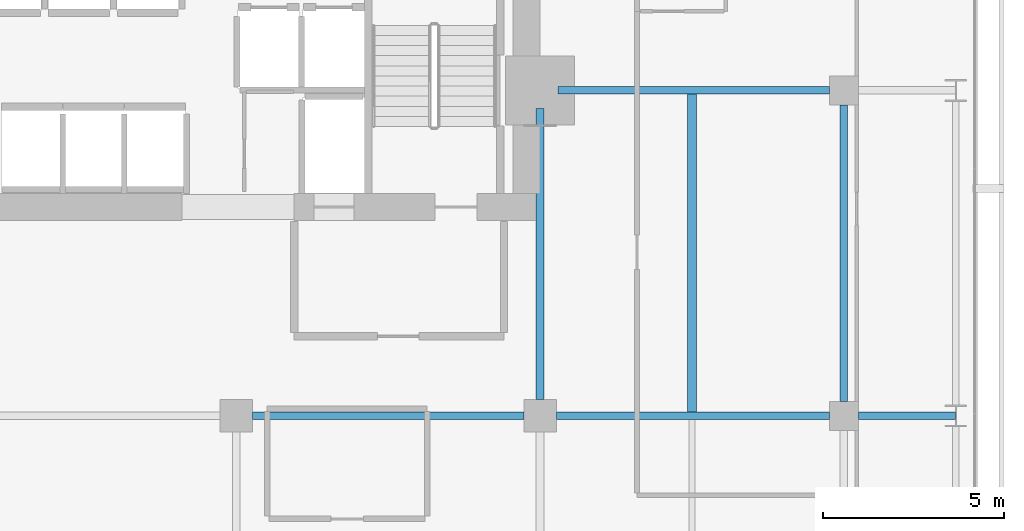
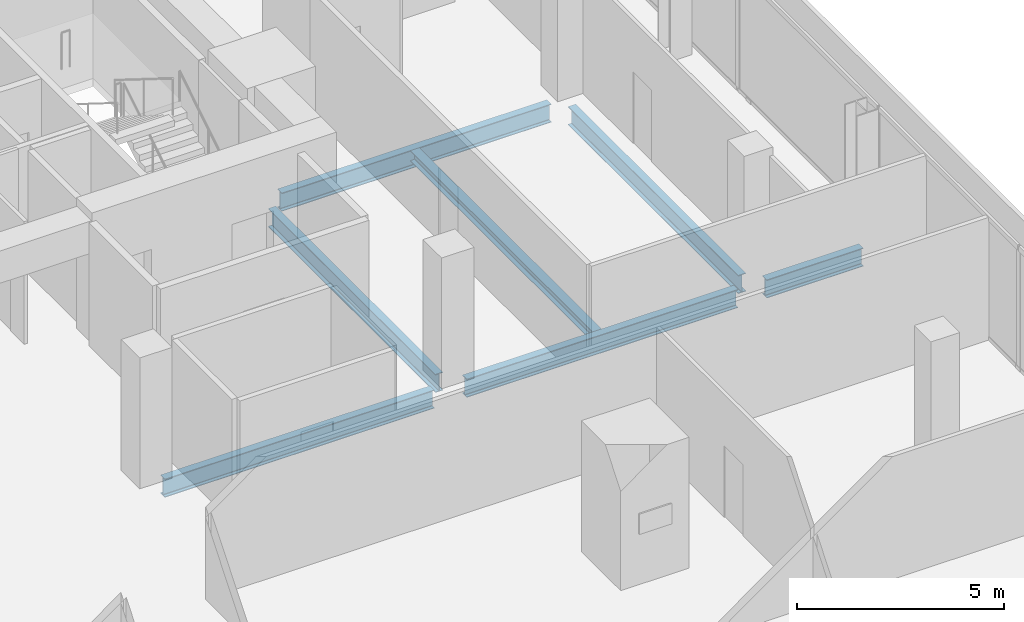
# One storey, part 23 of 33: 7 beams.
"""IFC4 building model written with IfcOpenShell, lengths in metres."""

from ifc_helpers import new_model, si_unit, direction, frame, origin, origin_2d, place, context, subcontext, project, spatial, i_section, extrude, material, material_profile, profile_set, type_object, element, save


model = new_model("IFC4")

# Units and contexts
model_context = context("Model", 3, precision=1e-05, world=origin(), true_north=direction((0.0, 1.0)))
body_context = subcontext(model_context, "Body", "Model", "MODEL_VIEW")
ifc_project = project(units=[si_unit("LENGTHUNIT", "METRE"), si_unit("AREAUNIT", "SQUARE_METRE"), si_unit("VOLUMEUNIT", "CUBIC_METRE"), si_unit("PLANEANGLEUNIT", "RADIAN"), si_unit("MASSUNIT", "GRAM", prefix="KILO")], contexts=[model_context])

# Site, building, storey
site_placement = place(None, origin())
site = spatial("IfcSite", under=ifc_project, at=site_placement, CompositionType="ELEMENT")
building_placement = place(site_placement, origin())
building = spatial("IfcBuilding", under=site, at=building_placement, Name="Maruvema Waterfront Hotel and Observation Tower", CompositionType="ELEMENT")
storey_placement = place(building_placement, frame((0.0, 0.0, 200.550048828125)))
storey = spatial("IfcBuildingStorey", under=building, at=storey_placement, Name="L49", CompositionType="ELEMENT", Elevation=200.550048828125)

# Beams
ifc_material_1 = material(Name="Steel ASTM A572 Grade 50", Category="steel")
ifc_material_profile_1 = material_profile(ifc_material_1, i_section(OverallWidth=0.2109375, OverallDepth=0.5390625, WebThickness=0.01171875, FlangeThickness=0.018798828125, FilletRadius=0.014892578125, at=origin_2d()), Name="W530x109.0")
ifc_profile_set_1 = profile_set([ifc_material_profile_1], Name="Steel ASTM A572 Grade 50")
beam_type_1 = type_object("IfcBeamType", Name="Primary Floor Girder W530x109.0", PredefinedType="BEAM", material=ifc_profile_set_1)
beam_1_placement = place(storey_placement, frame((42.449951171875, 36.0, -0.509521484375), z_axis=(1.0, 0.0, 0.0), x_axis=(0.0, 1.0, 0.0)))
element("IfcBeam", 1, at=beam_1_placement, inside=storey, type_object=beam_type_1, Name="L49 Floor Girder EW-27", PredefinedType="BEAM", context=body_context, shape_type="SweptSolid", body=[
    extrude(i_section(OverallWidth=0.2109375, OverallDepth=0.5390625, WebThickness=0.01171875, FlangeThickness=0.018798828125, FilletRadius=0.014892578125, at=origin_2d()), origin(), (0.0, 0.0, 1.0), 7.5),
])
beam_2_placement = place(storey_placement, frame((50.85009765625, 36.0, -0.509521484375), z_axis=(1.0, 0.0, 0.0), x_axis=(0.0, 1.0, 0.0)))
element("IfcBeam", 2, at=beam_2_placement, inside=storey, type_object=beam_type_1, Name="L49 Floor Girder EW-28", PredefinedType="BEAM", context=body_context, shape_type="SweptSolid", body=[
    extrude(i_section(OverallWidth=0.2109375, OverallDepth=0.5390625, WebThickness=0.01171875, FlangeThickness=0.018798828125, FilletRadius=0.014892578125, at=origin_2d()), origin(), (0.0, 0.0, 1.0), 7.5498046875),
])
beam_3_placement = place(storey_placement, frame((59.199951171875, 36.0, -0.509521484375), z_axis=(1.0, 0.0, 0.0), x_axis=(0.0, 1.0, 0.0)))
element("IfcBeam", 3, at=beam_3_placement, inside=storey, type_object=beam_type_1, Name="L49 Floor Girder EW-29", PredefinedType="BEAM", context=body_context, shape_type="SweptSolid", body=[
    extrude(i_section(OverallWidth=0.2109375, OverallDepth=0.5390625, WebThickness=0.01171875, FlangeThickness=0.018798828125, FilletRadius=0.014892578125, at=origin_2d()), origin(), (0.0, 0.0, 1.0), 2.6875),
])
beam_4_placement = place(storey_placement, frame((50.89990234375, 45.0, -0.509521484375), z_axis=(1.0, 0.0, 0.0), x_axis=(0.0, 1.0, 0.0)))
element("IfcBeam", 4, at=beam_4_placement, inside=storey, type_object=beam_type_1, Name="L49 Floor Girder EW-32", PredefinedType="BEAM", context=body_context, shape_type="SweptSolid", body=[
    extrude(i_section(OverallWidth=0.2109375, OverallDepth=0.5390625, WebThickness=0.01171875, FlangeThickness=0.018798828125, FilletRadius=0.014892578125, at=origin_2d()), origin(), (0.0, 0.0, 1.0), 7.5),
])
beam_5_placement = place(storey_placement, frame((50.39990234375, 36.449951171875, -0.509521484375), z_axis=(0.0, 1.0, 0.0), x_axis=(-1.0, 0.0, 0.0)))
element("IfcBeam", 5, at=beam_5_placement, inside=storey, type_object=beam_type_1, Name="L49 Floor Girder NS-24", PredefinedType="BEAM", context=body_context, shape_type="SweptSolid", body=[
    extrude(i_section(OverallWidth=0.2109375, OverallDepth=0.5390625, WebThickness=0.01171875, FlangeThickness=0.018798828125, FilletRadius=0.014892578125, at=origin_2d()), origin(), (0.0, 0.0, 1.0), 8.050048828125),
])
beam_6_placement = place(storey_placement, frame((58.800048828125, 36.39990234375, -0.509521484375), z_axis=(0.0, 1.0, 0.0), x_axis=(-1.0, 0.0, 0.0)))
element("IfcBeam", 6, at=beam_6_placement, inside=storey, type_object=beam_type_1, Name="L49 Floor Girder NS-28", PredefinedType="BEAM", context=body_context, shape_type="SweptSolid", body=[
    extrude(i_section(OverallWidth=0.2109375, OverallDepth=0.5390625, WebThickness=0.01171875, FlangeThickness=0.018798828125, FilletRadius=0.014892578125, at=origin_2d()), origin(), (0.0, 0.0, 1.0), 8.2001953125),
])
ifc_material_2 = material(Name="Steel ASTM A572 Grade 50", Category="steel")
ifc_material_profile_2 = material_profile(ifc_material_2, i_section(OverallWidth=0.25390625, OverallDepth=0.305908203125, WebThickness=0.0087890625, FlangeThickness=0.0146484375, FilletRadius=0.014892578125, at=origin_2d()), Name="W310x79.0")
ifc_profile_set_2 = profile_set([ifc_material_profile_2], Name="Steel ASTM A572 Grade 50")
beam_type_2 = type_object("IfcBeamType", Name="Secondary Floor Joist W310x79.0", PredefinedType="JOIST", material=ifc_profile_set_2)
beam_7_placement = place(storey_placement, frame((54.60009765625, 36.10546875, -0.39306640625), z_axis=(0.0, 1.0, 0.0), x_axis=(-1.0, 0.0, 0.0)))
element("IfcBeam", 7, at=beam_7_placement, inside=storey, type_object=beam_type_2, Name="L49 Secondary Floor Joist JS-14", PredefinedType="JOIST", context=body_context, shape_type="SweptSolid", body=[
    extrude(i_section(OverallWidth=0.25390625, OverallDepth=0.305908203125, WebThickness=0.0087890625, FlangeThickness=0.0146484375, FilletRadius=0.014892578125, at=origin_2d()), origin(), (0.0, 0.0, 1.0), 8.7890625),
])

save(model, "model.ifc")
